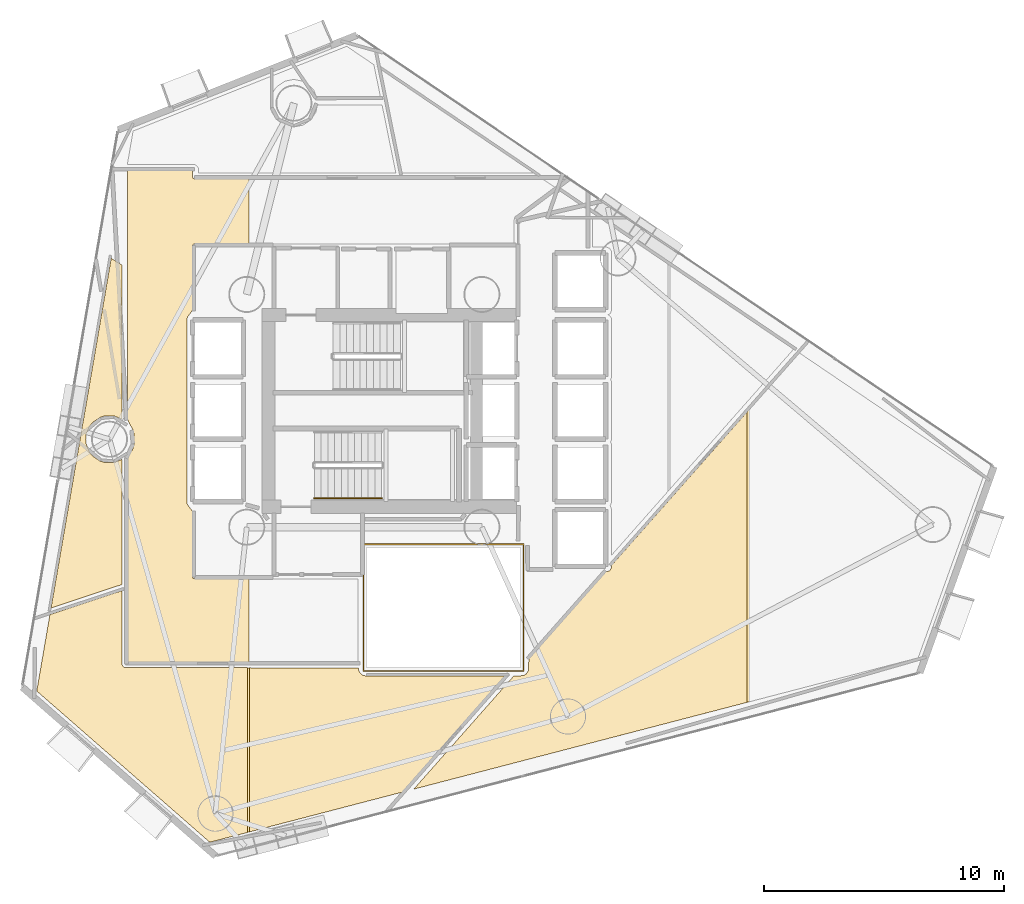
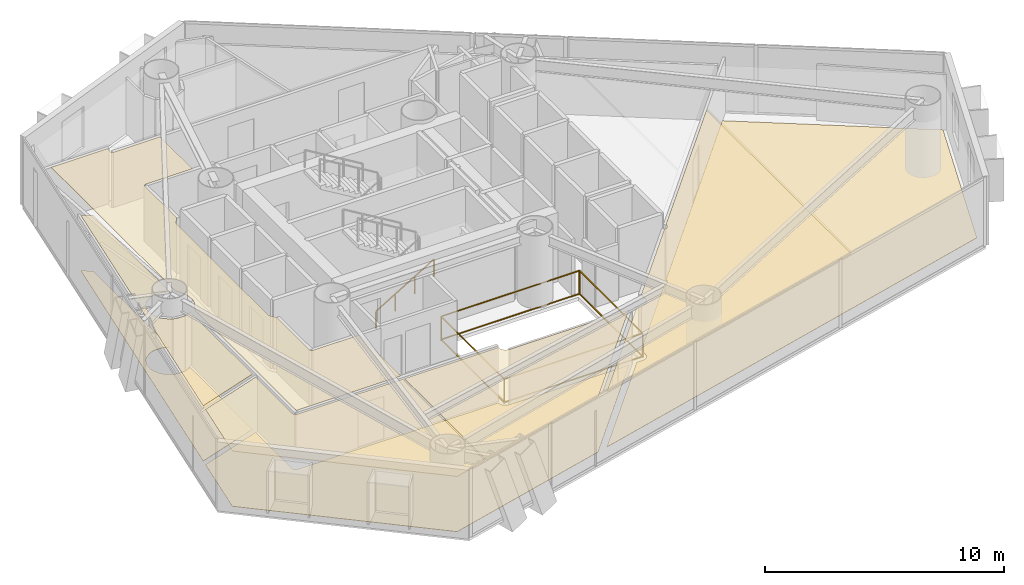
# One storey, part 19 of 21: 8 coverings, 2 railings.
"""IFC4 building model written with IfcOpenShell, lengths in metres."""

from ifc_helpers import new_model, si_unit, direction, frame, origin, origin_2d, place, context, subcontext, project, spatial, polyline, rectangle, outline, extrude, material, layer, layer_set, type_object, element, save


model = new_model("IFC4")

# Units and contexts
model_context = context("Model", 3, precision=1e-05, world=origin(), true_north=direction((0.0, 1.0)))
body_context = subcontext(model_context, "Body", "Model", "MODEL_VIEW")
ifc_project = project(units=[si_unit("LENGTHUNIT", "METRE"), si_unit("AREAUNIT", "SQUARE_METRE"), si_unit("VOLUMEUNIT", "CUBIC_METRE"), si_unit("PLANEANGLEUNIT", "RADIAN"), si_unit("MASSUNIT", "GRAM", prefix="KILO")], contexts=[model_context])

# Site, building, storey
site_placement = place(None, origin())
site = spatial("IfcSite", under=ifc_project, at=site_placement, CompositionType="ELEMENT")
building_placement = place(site_placement, origin())
building = spatial("IfcBuilding", under=site, at=building_placement, Name="Qianvela Tower", CompositionType="ELEMENT")
storey_placement = place(building_placement, frame((0.0, 0.0, 108.89990234375)))
storey = spatial("IfcBuildingStorey", under=building, at=storey_placement, Name="L27", CompositionType="ELEMENT", Elevation=108.89990234375)

# Coverings
ifc_material_1 = material(Name="Perforated Mineral Acoustic Ceiling Tile")
ifc_layer_1 = layer(ifc_material_1, 0.02490234375)
ifc_layer_set_1 = layer_set([ifc_layer_1], Name="Perforated Mineral Acoustic Ceiling Tile")
covering_type_1 = type_object("IfcCoveringType", Name="COV-CEIL-ACOUSTIC-25", PredefinedType="CEILING", material=ifc_layer_set_1)
covering_1_placement = place(storey_placement, frame((0.0, 0.0, 2.815185546875)))
element("IfcCovering", 1, at=covering_1_placement, inside=storey, type_object=covering_type_1, Name="L27 Acoustic Ceiling Bay 1 L27 Floor Corridor", PredefinedType="CEILING", context=body_context, shape_type="SweptSolid", body=[
    extrude(outline(polyline([(23.84814453125, 27.917724609375), (23.8447265625, 27.9248046875), (23.6298828125, 28.32666015625), (23.6298828125, 38.719970703125), (26.340087890625, 38.719970703125), (26.340087890625, 38.449951171875), (26.34033203125, 38.442138671875), (26.341552734375, 38.434326171875), (26.343505859375, 38.4267578125), (26.34619140625, 38.41943359375), (26.349365234375, 38.412353515625), (26.353515625, 38.405517578125), (26.358154296875, 38.399169921875), (26.36328125, 38.393310546875), (26.369140625, 38.38818359375), (26.37548828125, 38.383544921875), (26.38232421875, 38.37939453125), (26.389404296875, 38.376220703125), (26.396728515625, 38.373291015625), (26.404296875, 38.37158203125), (26.412109375, 38.370361328125), (26.419921875, 38.3701171875), (28.68505859375, 38.3701171875), (28.68505859375, 35.659912109375), (26.419921875, 35.659912109375), (26.412109375, 35.65966796875), (26.404296875, 35.658447265625), (26.396728515625, 35.656494140625), (26.389404296875, 35.65380859375), (26.38232421875, 35.650634765625), (26.37548828125, 35.646484375), (26.369140625, 35.641845703125), (26.36328125, 35.63671875), (26.358154296875, 35.630859375), (26.353515625, 35.62451171875), (26.349365234375, 35.61767578125), (26.34619140625, 35.610595703125), (26.343505859375, 35.603271484375), (26.341552734375, 35.595703125), (26.34033203125, 35.587890625), (26.340087890625, 35.580078125), (26.340087890625, 32.89599609375), (26.139404296875, 32.62548828125), (26.135498046875, 32.61962890625), (26.132080078125, 32.61376953125), (26.12939453125, 32.607421875), (26.126953125, 32.60107421875), (26.103515625, 32.523193359375), (26.1015625, 32.515625), (26.100341796875, 32.5078125), (26.10009765625, 32.5), (26.10009765625, 24.89990234375), (26.100341796875, 24.89208984375), (26.1015625, 24.884521484375), (26.103515625, 24.876708984375), (26.126953125, 24.799072265625), (26.12939453125, 24.79248046875), (26.132080078125, 24.786376953125), (26.135498046875, 24.7802734375), (26.139404296875, 24.774658203125), (26.340087890625, 24.50390625), (26.340087890625, 21.780029296875), (26.34033203125, 21.772216796875), (26.341552734375, 21.764404296875), (26.343505859375, 21.7568359375), (26.34619140625, 21.74951171875), (26.349365234375, 21.7421875), (26.353515625, 21.735595703125), (26.358154296875, 21.729248046875), (26.36328125, 21.723388671875), (26.369140625, 21.71826171875), (26.37548828125, 21.71337890625), (26.38232421875, 21.70947265625), (26.389404296875, 21.7060546875), (26.396728515625, 21.703369140625), (26.404296875, 21.701416015625), (26.412109375, 21.700439453125), (26.419921875, 21.699951171875), (28.68505859375, 21.699951171875), (28.68505859375, 18.22998046875), (23.6298828125, 18.22998046875), (23.6298828125, 26.705322265625), (23.8447265625, 27.107177734375), (23.84814453125, 27.1142578125), (23.8505859375, 27.12158203125), (23.906005859375, 27.303466796875), (23.90771484375, 27.311279296875), (23.908935546875, 27.31884765625), (23.909423828125, 27.326904296875), (23.909423828125, 27.705078125), (23.908935546875, 27.713134765625), (23.90771484375, 27.720703125), (23.906005859375, 27.728515625), (23.8505859375, 27.910400390625), (23.84814453125, 27.917724609375)])), origin(), (0.0, 0.0, 1.0), 0.02490234375),
])
covering_2_placement = place(storey_placement, frame((0.0, 0.0, 2.815185546875)))
element("IfcCovering", 2, at=covering_2_placement, inside=storey, type_object=covering_type_1, Name="L27 Acoustic Ceiling Bay 1 Collaborative Co-working Office L27-01A", PredefinedType="CEILING", context=body_context, shape_type="SweptSolid", body=[
    extrude(outline(polyline([(23.390380859375, 18.14208984375), (23.3916015625, 18.134521484375), (23.393310546875, 18.126708984375), (23.39599609375, 18.119384765625), (23.3994140625, 18.1123046875), (23.403564453125, 18.105712890625), (23.408203125, 18.09912109375), (23.47265625, 18.020751953125), (23.477783203125, 18.014892578125), (23.483642578125, 18.009765625), (23.489990234375, 18.0048828125), (23.49658203125, 18.0009765625), (23.50390625, 17.99755859375), (23.51123046875, 17.9951171875), (23.518798828125, 17.9931640625), (23.526611328125, 17.991943359375), (23.534423828125, 17.991455078125), (28.640380859375, 17.99072265625), (28.640380859375, 11.129638671875), (27.059326171875, 10.718017578125), (19.8466796875, 17.020263671875), (20.395263671875, 20.20849609375), (23.389892578125, 21.199951171875), (23.389892578125, 18.14990234375), (23.390380859375, 18.14208984375)])), origin(), (0.0, 0.0, 1.0), 0.02490234375),
])
covering_3_placement = place(storey_placement, frame((0.0, 0.0, 2.815185546875)))
element("IfcCovering", 3, at=covering_3_placement, inside=storey, type_object=covering_type_1, Name="L27 Acoustic Ceiling Bay 2 Collaborative Co-working Office L27-01A", PredefinedType="CEILING", context=body_context, shape_type="SweptSolid", body=[
    extrude(outline(polyline([(33.24609375, 17.989990234375), (33.252197265625, 17.912353515625), (33.25341796875, 17.904296875), (33.25537109375, 17.896240234375), (33.258056640625, 17.888427734375), (33.261474609375, 17.881103515625), (33.31298828125, 17.78466796875), (33.31689453125, 17.77783203125), (33.32177734375, 17.771484375), (33.326904296875, 17.765869140625), (33.332763671875, 17.760498046875), (33.417236328125, 17.691162109375), (33.42431640625, 17.68603515625), (33.431884765625, 17.681640625), (33.440185546875, 17.677978515625), (33.448486328125, 17.675537109375), (33.58056640625, 17.642333984375), (33.5869140625, 17.64111328125), (33.593505859375, 17.640380859375), (33.60009765625, 17.639892578125), (39.34765625, 17.639892578125), (35.07470703125, 12.804931640625), (28.72021484375, 11.150390625), (28.72021484375, 17.99072265625), (33.24609375, 17.989990234375)])), origin(), (0.0, 0.0, 1.0), 0.02490234375),
])
covering_4_placement = place(storey_placement, frame((0.0, 0.0, 2.815185546875)))
element("IfcCovering", 4, at=covering_4_placement, inside=storey, type_object=covering_type_1, Name="L27 Acoustic Ceiling Bay 1 Quiet Desk Workspace L27-01B", PredefinedType="CEILING", context=body_context, shape_type="SweptSolid", body=[
    extrude(outline(polyline([(40.119873046875, 17.662353515625), (40.128173828125, 17.6640625), (40.136474609375, 17.666748046875), (40.144287109375, 17.67041015625), (40.151611328125, 17.6748046875), (40.242431640625, 17.735595703125), (40.248779296875, 17.740234375), (40.254638671875, 17.745361328125), (40.259765625, 17.751220703125), (40.264404296875, 17.757568359375), (40.3251953125, 17.848388671875), (40.3291015625, 17.8544921875), (40.332275390625, 17.861083984375), (40.334716796875, 17.867919921875), (40.336669921875, 17.875), (40.337890625, 17.882080078125), (40.338623046875, 17.889404296875), (40.358642578125, 18.361083984375), (43.565185546875, 21.9892578125), (43.69873046875, 22.0234375), (43.706298828125, 22.02587890625), (43.71337890625, 22.02880859375), (43.720458984375, 22.032470703125), (43.726806640625, 22.036865234375), (43.73291015625, 22.0419921875), (43.73828125, 22.04736328125), (43.743408203125, 22.053466796875), (43.74755859375, 22.059814453125), (43.751220703125, 22.06689453125), (43.79150390625, 22.152099609375), (43.794921875, 22.16015625), (43.79736328125, 22.168701171875), (43.798828125, 22.177490234375), (43.79931640625, 22.186279296875), (43.79931640625, 22.25439453125), (49.443603515625, 28.640869140625), (49.443603515625, 16.5458984375), (35.559814453125, 12.93115234375), (39.722900390625, 17.641845703125), (40.111083984375, 17.661376953125), (40.119873046875, 17.662353515625)])), origin(), (0.0, 0.0, 1.0), 0.02490234375),
])
covering_5_placement = place(storey_placement, frame((0.0, 0.0, 2.815185546875)))
element("IfcCovering", 5, at=covering_5_placement, inside=storey, type_object=covering_type_1, Name="L27 Acoustic Ceiling Graduate Seminar Classroom L27-04", PredefinedType="CEILING", context=body_context, shape_type="SweptSolid", body=[
    extrude(outline(polyline([(23.389892578125, 26.67529296875), (23.389892578125, 21.45703125), (20.442138671875, 20.48095703125), (22.949462890625, 35.0576171875), (23.389892578125, 34.77880859375), (23.389892578125, 28.356689453125), (23.086181640625, 28.482421875), (23.078857421875, 28.485107421875), (23.071044921875, 28.487060546875), (23.0634765625, 28.488037109375), (23.055419921875, 28.488525390625), (22.700439453125, 28.488525390625), (22.692626953125, 28.488037109375), (22.684814453125, 28.487060546875), (22.67724609375, 28.485107421875), (22.506591796875, 28.433349609375), (22.4990234375, 28.4306640625), (22.491943359375, 28.42724609375), (22.4853515625, 28.423095703125), (22.190185546875, 28.22607421875), (22.183837890625, 28.22119140625), (22.177978515625, 28.216064453125), (22.172607421875, 28.210205078125), (22.0595703125, 28.072265625), (22.0546875, 28.06591796875), (22.05078125, 28.059326171875), (22.047607421875, 28.05224609375), (21.91162109375, 27.72412109375), (21.908935546875, 27.716796875), (21.906982421875, 27.708984375), (21.906005859375, 27.701416015625), (21.888427734375, 27.523681640625), (21.887939453125, 27.51611328125), (21.888427734375, 27.50830078125), (21.906005859375, 27.33056640625), (21.906982421875, 27.322998046875), (21.908935546875, 27.315185546875), (21.91162109375, 27.307861328125), (22.047607421875, 26.979736328125), (22.05078125, 26.97265625), (22.0546875, 26.966064453125), (22.0595703125, 26.959716796875), (22.172607421875, 26.82177734375), (22.177978515625, 26.81591796875), (22.183837890625, 26.810791015625), (22.190185546875, 26.805908203125), (22.4853515625, 26.60888671875), (22.491943359375, 26.604736328125), (22.4990234375, 26.601318359375), (22.506591796875, 26.5986328125), (22.67724609375, 26.546875), (22.684814453125, 26.544921875), (22.692626953125, 26.5439453125), (22.700439453125, 26.54345703125), (23.055419921875, 26.54345703125), (23.0634765625, 26.5439453125), (23.071044921875, 26.544921875), (23.078857421875, 26.546875), (23.086181640625, 26.549560546875), (23.389892578125, 26.67529296875)])), origin(), (0.0, 0.0, 1.0), 0.02490234375),
])
ifc_material_2 = material(Name="Engineered Acoustic Oak Timber Flooring", Category="wood")
ifc_layer_2 = layer(ifc_material_2, 0.02001953125)
ifc_layer_set_2 = layer_set([ifc_layer_2], Name="Engineered Acoustic Oak Timber Flooring")
covering_type_2 = type_object("IfcCoveringType", Name="COV-FLOOR-OAK-20", PredefinedType="FLOORING", material=ifc_layer_set_2)
covering_6_placement = place(storey_placement, origin())
element("IfcCovering", 6, at=covering_6_placement, inside=storey, type_object=covering_type_2, Name="L27 Finish Flooring Collaborative Co-working Office L27-01A", PredefinedType="FLOORING", context=body_context, shape_type="SweptSolid", body=[
    extrude(outline(polyline([(23.389892578125, 18.14990234375), (23.390380859375, 18.14208984375), (23.3916015625, 18.134521484375), (23.393310546875, 18.126708984375), (23.39599609375, 18.119384765625), (23.3994140625, 18.1123046875), (23.403564453125, 18.105712890625), (23.408203125, 18.09912109375), (23.47265625, 18.020751953125), (23.477783203125, 18.014892578125), (23.483642578125, 18.009765625), (23.489990234375, 18.0048828125), (23.49658203125, 18.0009765625), (23.50390625, 17.99755859375), (23.51123046875, 17.9951171875), (23.518798828125, 17.9931640625), (23.526611328125, 17.991943359375), (23.534423828125, 17.991455078125), (33.24609375, 17.989990234375), (33.252197265625, 17.912353515625), (33.25341796875, 17.904296875), (33.25537109375, 17.896240234375), (33.258056640625, 17.888427734375), (33.261474609375, 17.881103515625), (33.31298828125, 17.78466796875), (33.31689453125, 17.77783203125), (33.32177734375, 17.771484375), (33.326904296875, 17.765869140625), (33.332763671875, 17.760498046875), (33.417236328125, 17.691162109375), (33.42431640625, 17.68603515625), (33.431884765625, 17.681640625), (33.440185546875, 17.677978515625), (33.448486328125, 17.675537109375), (33.58056640625, 17.642333984375), (33.5869140625, 17.64111328125), (33.593505859375, 17.640380859375), (33.60009765625, 17.639892578125), (39.34765625, 17.639892578125), (35.07470703125, 12.804931640625), (27.059326171875, 10.718017578125), (19.8466796875, 17.020263671875), (20.395263671875, 20.20849609375), (23.389892578125, 21.199951171875), (23.389892578125, 18.14990234375)])), origin(), (0.0, 0.0, 1.0), 0.02001953125),
])
covering_7_placement = place(storey_placement, origin())
element("IfcCovering", 7, at=covering_7_placement, inside=storey, type_object=covering_type_2, Name="L27 Finish Flooring Quiet Desk Workspace L27-01B", PredefinedType="FLOORING", context=body_context, shape_type="SweptSolid", body=[
    extrude(outline(polyline([(40.111083984375, 17.661376953125), (40.119873046875, 17.662353515625), (40.128173828125, 17.6640625), (40.136474609375, 17.666748046875), (40.144287109375, 17.67041015625), (40.151611328125, 17.6748046875), (40.242431640625, 17.735595703125), (40.248779296875, 17.740234375), (40.254638671875, 17.745361328125), (40.259765625, 17.751220703125), (40.264404296875, 17.757568359375), (40.3251953125, 17.848388671875), (40.3291015625, 17.8544921875), (40.332275390625, 17.861083984375), (40.334716796875, 17.867919921875), (40.336669921875, 17.875), (40.337890625, 17.882080078125), (40.338623046875, 17.889404296875), (40.358642578125, 18.361083984375), (43.565185546875, 21.9892578125), (43.69873046875, 22.0234375), (43.706298828125, 22.02587890625), (43.71337890625, 22.02880859375), (43.720458984375, 22.032470703125), (43.726806640625, 22.036865234375), (43.73291015625, 22.0419921875), (43.73828125, 22.04736328125), (43.743408203125, 22.053466796875), (43.74755859375, 22.059814453125), (43.751220703125, 22.06689453125), (43.79150390625, 22.152099609375), (43.794921875, 22.16015625), (43.79736328125, 22.168701171875), (43.798828125, 22.177490234375), (43.79931640625, 22.186279296875), (43.79931640625, 22.25439453125), (51.62939453125, 31.1142578125), (59.28955078125, 25.925537109375), (56.58447265625, 18.40478515625), (35.559814453125, 12.93115234375), (39.722900390625, 17.641845703125), (40.111083984375, 17.661376953125)])), origin(), (0.0, 0.0, 1.0), 0.02001953125),
])
covering_8_placement = place(storey_placement, origin())
element("IfcCovering", 8, at=covering_8_placement, inside=storey, type_object=covering_type_2, Name="L27 Finish Flooring Graduate Seminar Classroom L27-04", PredefinedType="FLOORING", context=body_context, shape_type="SweptSolid", body=[
    extrude(outline(polyline([(23.389892578125, 26.67529296875), (23.389892578125, 21.45703125), (20.442138671875, 20.48095703125), (22.949462890625, 35.0576171875), (23.389892578125, 34.77880859375), (23.389892578125, 28.356689453125), (23.086181640625, 28.482421875), (23.078857421875, 28.485107421875), (23.071044921875, 28.487060546875), (23.0634765625, 28.488037109375), (23.055419921875, 28.488525390625), (22.700439453125, 28.488525390625), (22.692626953125, 28.488037109375), (22.684814453125, 28.487060546875), (22.67724609375, 28.485107421875), (22.506591796875, 28.433349609375), (22.4990234375, 28.4306640625), (22.491943359375, 28.42724609375), (22.4853515625, 28.423095703125), (22.190185546875, 28.22607421875), (22.183837890625, 28.22119140625), (22.177978515625, 28.216064453125), (22.172607421875, 28.210205078125), (22.0595703125, 28.072265625), (22.0546875, 28.06591796875), (22.05078125, 28.059326171875), (22.047607421875, 28.05224609375), (21.91162109375, 27.72412109375), (21.908935546875, 27.716796875), (21.906982421875, 27.708984375), (21.906005859375, 27.701416015625), (21.888427734375, 27.523681640625), (21.887939453125, 27.51611328125), (21.888427734375, 27.50830078125), (21.906005859375, 27.33056640625), (21.906982421875, 27.322998046875), (21.908935546875, 27.315185546875), (21.91162109375, 27.307861328125), (22.047607421875, 26.979736328125), (22.05078125, 26.97265625), (22.0546875, 26.966064453125), (22.0595703125, 26.959716796875), (22.172607421875, 26.82177734375), (22.177978515625, 26.81591796875), (22.183837890625, 26.810791015625), (22.190185546875, 26.805908203125), (22.4853515625, 26.60888671875), (22.491943359375, 26.604736328125), (22.4990234375, 26.601318359375), (22.506591796875, 26.5986328125), (22.67724609375, 26.546875), (22.684814453125, 26.544921875), (22.692626953125, 26.5439453125), (22.700439453125, 26.54345703125), (23.055419921875, 26.54345703125), (23.0634765625, 26.5439453125), (23.071044921875, 26.544921875), (23.078857421875, 26.546875), (23.086181640625, 26.549560546875), (23.389892578125, 26.67529296875)])), origin(), (0.0, 0.0, 1.0), 0.02001953125),
])

# Railings
ifc_material_3 = material(Name="Laminated Safety Glass and Stainless Steel 316", Category="steel")
railing_type_1 = type_object("IfcRailingType", Name="RL-ATRIUM-GUARD-1250", PredefinedType="GUARDRAIL", material=ifc_material_3)
railing_1_placement = place(storey_placement, frame((33.4599609375, 17.860107421875, 0.0)))
element("IfcRailing", 9, at=railing_1_placement, inside=storey, type_object=railing_type_1, Name="L27 Atrium Edge Guardrail 1", PredefinedType="GUARDRAIL", context=body_context, shape_type="SweptSolid", body=[
    extrude(rectangle(XDim=0.050048828125, YDim=0.0400390625, at=origin_2d()), frame((0.0, 0.0, 1.22998046875), z_axis=(0.0, 1.0, 0.0), x_axis=(-1.0, 0.0, 0.0)), (0.0, 0.0, 1.0), 5.27978515625),
    extrude(rectangle(XDim=0.050048828125, YDim=0.0400390625, at=origin_2d()), frame((0.0, 0.0, 0.050048828125), z_axis=(0.0, 1.0, 0.0), x_axis=(-1.0, 0.0, 0.0)), (0.0, 0.0, 1.0), 5.27978515625),
    extrude(rectangle(XDim=0.050048828125, YDim=0.0400390625, at=origin_2d()), frame((0.0, 5.27978515625, 1.22998046875), z_axis=(1.0, 0.0, 0.0), x_axis=(0.0, 1.0, 0.0)), (0.0, 0.0, 1.0), 6.679931640625),
    extrude(rectangle(XDim=0.050048828125, YDim=0.0400390625, at=origin_2d()), frame((0.0, 5.27978515625, 0.050048828125), z_axis=(1.0, 0.0, 0.0), x_axis=(0.0, 1.0, 0.0)), (0.0, 0.0, 1.0), 6.679931640625),
    extrude(rectangle(XDim=0.050048828125, YDim=0.0400390625, at=origin_2d()), frame((6.679931640625, 5.27978515625, 1.22998046875), z_axis=(0.0, -1.0, 0.0), x_axis=(1.0, 0.0, 0.0)), (0.0, 0.0, 1.0), 5.27978515625),
    extrude(rectangle(XDim=0.050048828125, YDim=0.0400390625, at=origin_2d()), frame((6.679931640625, 5.27978515625, 0.050048828125), z_axis=(0.0, -1.0, 0.0), x_axis=(1.0, 0.0, 0.0)), (0.0, 0.0, 1.0), 5.27978515625),
    extrude(rectangle(XDim=0.050048828125, YDim=0.0400390625, at=origin_2d()), frame((6.679931640625, 0.0, 1.22998046875), z_axis=(-1.0, 0.0, 0.0), x_axis=(0.0, -1.0, 0.0)), (0.0, 0.0, 1.0), 6.679931640625),
    extrude(rectangle(XDim=0.050048828125, YDim=0.0400390625, at=origin_2d()), frame((6.679931640625, 0.0, 0.050048828125), z_axis=(-1.0, 0.0, 0.0), x_axis=(0.0, -1.0, 0.0)), (0.0, 0.0, 1.0), 6.679931640625),
    extrude(rectangle(XDim=0.050048828125, YDim=0.050048828125, at=origin_2d()), origin(), (0.0, 0.0, 1.0), 1.2099609375),
    extrude(rectangle(XDim=0.050048828125, YDim=0.050048828125, at=origin_2d()), frame((0.0, 5.27978515625, 0.0)), (0.0, 0.0, 1.0), 1.2099609375),
    extrude(rectangle(XDim=0.050048828125, YDim=0.050048828125, at=origin_2d()), frame((6.679931640625, 5.27978515625, 0.0)), (0.0, 0.0, 1.0), 1.2099609375),
    extrude(rectangle(XDim=0.050048828125, YDim=0.050048828125, at=origin_2d()), frame((6.679931640625, 0.0, 0.0)), (0.0, 0.0, 1.0), 1.2099609375),
])
ifc_material_4 = material(Name="Brushed Stainless Steel 304", Category="steel")
railing_type_2 = type_object("IfcRailingType", Name="RL-STAIR-HANDRAIL-900", PredefinedType="HANDRAIL", material=ifc_material_4)
railing_2_placement = place(storey_placement, frame((31.419921875, 25.050048828125, 0.168212890625)))
element("IfcRailing", 10, at=railing_2_placement, inside=storey, type_object=railing_type_2, Name="L27 ST-2 stair handrail 1", PredefinedType="HANDRAIL", context=body_context, shape_type="SweptSolid", body=[
    extrude(rectangle(XDim=0.050048828125, YDim=0.0400390625, at=origin_2d()), frame((0.0, 0.0, 0.8798828125), z_axis=(0.857242210791, 0.0, 0.514913383045), x_axis=(0.0, 1.0, 0.0)), (0.0, 0.0, 1.0), 3.266357421875),
    extrude(rectangle(XDim=0.050048828125, YDim=0.050048828125, at=origin_2d()), origin(), (0.0, 0.0, 1.0), 0.85986328125),
    extrude(rectangle(XDim=0.050048828125, YDim=0.050048828125, at=origin_2d()), frame((0.933349609375, 0.0, 0.560546875)), (0.0, 0.0, 1.0), 0.85986328125),
    extrude(rectangle(XDim=0.050048828125, YDim=0.050048828125, at=origin_2d()), frame((1.86669921875, 0.0, 1.121337890625)), (0.0, 0.0, 1.0), 0.85986328125),
    extrude(rectangle(XDim=0.050048828125, YDim=0.050048828125, at=origin_2d()), frame((2.800048828125, 0.0, 1.681884765625)), (0.0, 0.0, 1.0), 0.85986328125),
])

save(model, "model.ifc")
